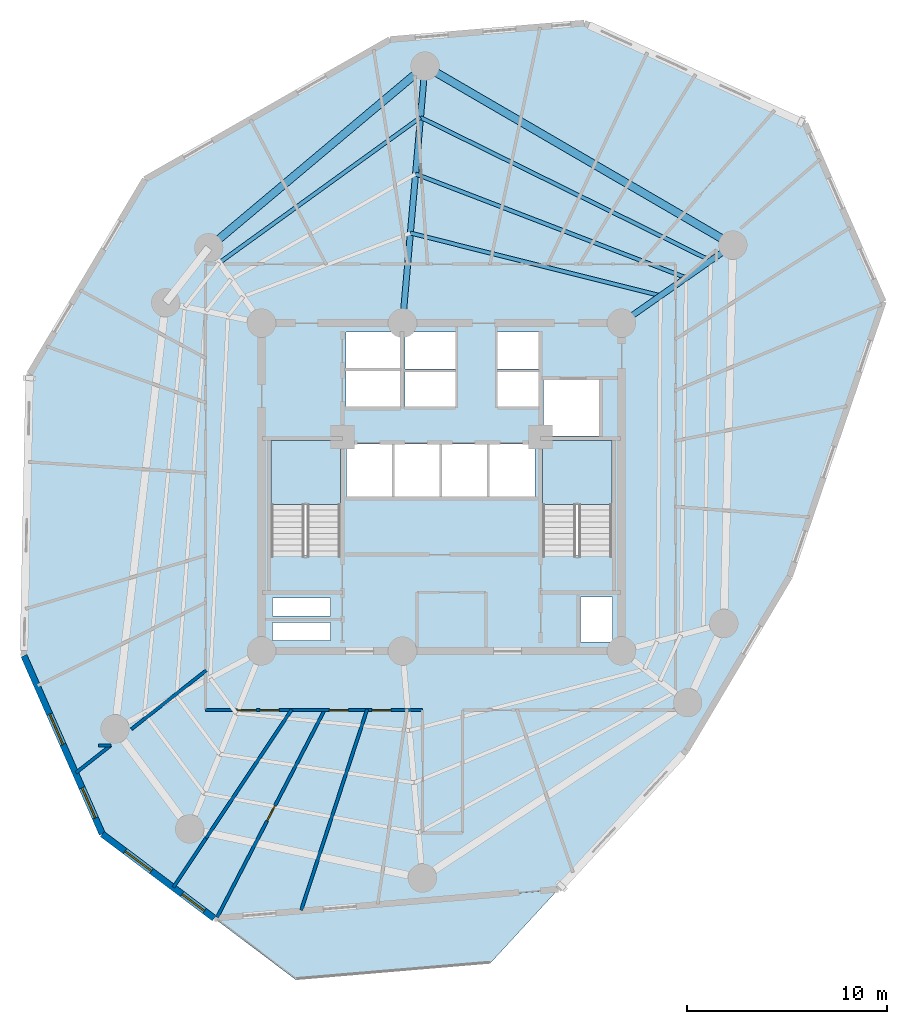
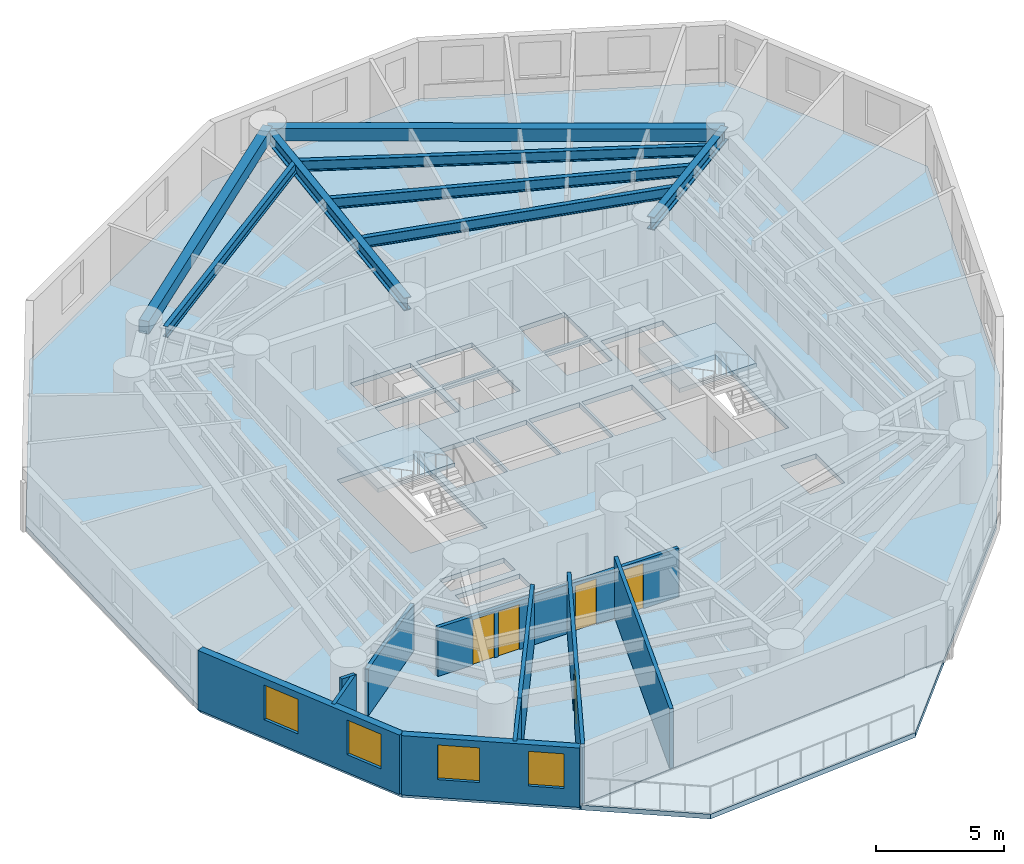
# One storey, part 2 of 10: 10 walls, 8 beams, 5 doors, 4 slabs, 4 windows, 9 openings, 2 elements without a shape of their own.
"""IFC4 building model written with IfcOpenShell, lengths in metres."""

from ifc_helpers import new_model, si_unit, direction, frame, frame_2d, origin, origin_with_axes, origin_2d, place, context, subcontext, project, spatial, polyline, rectangle, i_section, outline, extrude, source, transform, mapped, material, layer, layer_set, material_profile, profile_set, type_object, element, fill, aggregate, save


model = new_model("IFC4")

# Units and contexts
model_context = context("Model", 3, precision=1e-05, world=origin(), true_north=direction((0.0, 1.0)))
body_context = subcontext(model_context, "Body", "Model", "MODEL_VIEW")
ifc_project = project(units=[si_unit("LENGTHUNIT", "METRE"), si_unit("AREAUNIT", "SQUARE_METRE"), si_unit("VOLUMEUNIT", "CUBIC_METRE"), si_unit("PLANEANGLEUNIT", "RADIAN"), si_unit("MASSUNIT", "GRAM", prefix="KILO")], contexts=[model_context])

# Site, building, storey
site_placement = place(None, origin())
site = spatial("IfcSite", under=ifc_project, at=site_placement, CompositionType="ELEMENT")
building_placement = place(site_placement, origin())
building = spatial("IfcBuilding", under=site, at=building_placement, Name="Karkom Vertical University and Central Library", CompositionType="ELEMENT")
storey_placement = place(building_placement, frame((0.0, 0.0, 111.449951171875)))
storey = spatial("IfcBuildingStorey", under=building, at=storey_placement, Name="L30", CompositionType="ELEMENT", Elevation=111.449951171875)

# Beams
ifc_material_1 = material(Name="Precast concrete C45/55", Category="concrete")
ifc_material_profile_1 = material_profile(ifc_material_1, rectangle(XDim=0.39990234375, YDim=0.60009765625, at=origin_2d()), Name="SPB-400x600")
ifc_profile_set_1 = profile_set([ifc_material_profile_1], Name="Precast concrete C45/55")
beam_type_1 = type_object("IfcBeamType", Name="STR-BM-SP-1", PredefinedType="SPANDREL", material=ifc_profile_set_1)
shared_shape_1 = source(origin_with_axes(), body_context, "Body", "SweptSolid", [
    extrude(rectangle(XDim=0.39990234375, YDim=0.60009765625, at=origin_2d()), origin(), (0.0, 0.0, 1.0), 17.808837890625),
])
beam_1_placement = place(storey_placement, frame((43.070068359375, 38.60009765625, 2.525146484375), z_axis=(-0.864512866362, 0.502610688202, 0.0), x_axis=(-0.502610688202, -0.864512866362, 0.0)))
element("IfcBeam", 1, at=beam_1_placement, inside=storey, type_object=beam_type_1, Name="Level 30 Perimeter Spandrel Beam 02", PredefinedType="SPANDREL", context=body_context, shape_type="MappedRepresentation", body=[
    mapped(shared_shape_1, transform((0.0, 0.0, 0.0), scale=1.0)),
])
shared_shape_2 = source(origin_with_axes(), body_context, "Body", "SweptSolid", [
    extrude(rectangle(XDim=0.39990234375, YDim=0.60009765625, at=origin_2d()), origin(), (0.0, 0.0, 1.0), 14.120849609375),
])
beam_2_placement = place(storey_placement, frame((27.674072265625, 47.551025390625, 2.525146484375), z_axis=(-0.765672847866, -0.643230199883, 0.0), x_axis=(0.643230199883, -0.765672847866, 0.0)))
element("IfcBeam", 2, at=beam_2_placement, inside=storey, type_object=beam_type_1, Name="Level 30 Perimeter Spandrel Beam 03", PredefinedType="SPANDREL", context=body_context, shape_type="MappedRepresentation", body=[
    mapped(shared_shape_2, transform((0.0, 0.0, 0.0), scale=1.0)),
])
ifc_material_2 = material(Name="Steel S355", Category="steel")
ifc_material_profile_2 = material_profile(ifc_material_2, i_section(OverallWidth=0.199951171875, OverallDepth=0.5, WebThickness=0.01025390625, FlangeThickness=0.01611328125, FilletRadius=0.02099609375, at=origin_2d()), Name="IPE 500")
ifc_profile_set_2 = profile_set([ifc_material_profile_2], Name="Steel S355")
beam_type_2 = type_object("IfcBeamType", Name="STR-BM-SB-IPE500", PredefinedType="BEAM", material=ifc_profile_set_2)
shared_shape_3 = source(origin_with_axes(), body_context, "Body", "SweptSolid", [
    extrude(i_section(OverallWidth=0.199951171875, OverallDepth=0.5, WebThickness=0.01025390625, FlangeThickness=0.01611328125, FilletRadius=0.02099609375, at=origin_2d()), origin(), (0.0, 0.0, 1.0), 12.892578125),
])
beam_3_placement = place(storey_placement, frame((39.449462890625, 36.06494140625, 2.574951171875), z_axis=(-0.970023194321, 0.243012350468, 0.0), x_axis=(-0.243012350468, -0.970023194321, 0.0)))
element("IfcBeam", 3, at=beam_3_placement, inside=storey, type_object=beam_type_2, Name="Level 30 Secondary Composite Floor Beam 1.02", PredefinedType="BEAM", context=body_context, shape_type="MappedRepresentation", body=[
    mapped(shared_shape_3, transform((0.0, 0.0, 0.0), scale=1.0)),
])
shared_shape_4 = source(origin_with_axes(), body_context, "Body", "SweptSolid", [
    extrude(i_section(OverallWidth=0.199951171875, OverallDepth=0.5, WebThickness=0.01025390625, FlangeThickness=0.01611328125, FilletRadius=0.02099609375, at=origin_2d()), origin(), (0.0, 0.0, 1.0), 14.49072265625),
])
beam_4_placement = place(storey_placement, frame((40.730712890625, 36.9619140625, 2.574951171875), z_axis=(-0.93361673171, 0.35827335691, 0.0), x_axis=(-0.35827335691, -0.93361673171, 0.0)))
element("IfcBeam", 4, at=beam_4_placement, inside=storey, type_object=beam_type_2, Name="Level 30 Secondary Composite Floor Beam 2.02", PredefinedType="BEAM", context=body_context, shape_type="MappedRepresentation", body=[
    mapped(shared_shape_4, transform((0.0, 0.0, 0.0), scale=1.0)),
])
shared_shape_5 = source(origin_with_axes(), body_context, "Body", "SweptSolid", [
    extrude(i_section(OverallWidth=0.199951171875, OverallDepth=0.5, WebThickness=0.01025390625, FlangeThickness=0.01611328125, FilletRadius=0.02099609375, at=origin_2d()), origin(), (0.0, 0.0, 1.0), 16.177978515625),
])
beam_5_placement = place(storey_placement, frame((41.9560546875, 37.820068359375, 2.574951171875), z_axis=(-0.896709262653, 0.442620038263, 0.0), x_axis=(-0.442620038263, -0.896709262653, 0.0)))
element("IfcBeam", 5, at=beam_5_placement, inside=storey, type_object=beam_type_2, Name="Level 30 Secondary Composite Floor Beam 3.02", PredefinedType="BEAM", context=body_context, shape_type="MappedRepresentation", body=[
    mapped(shared_shape_5, transform((0.0, 0.0, 0.0), scale=1.0)),
])
shared_shape_6 = source(origin_with_axes(), body_context, "Body", "SweptSolid", [
    extrude(i_section(OverallWidth=0.199951171875, OverallDepth=0.5, WebThickness=0.01025390625, FlangeThickness=0.01611328125, FilletRadius=0.02099609375, at=origin_2d()), origin(), (0.0, 0.0, 1.0), 12.409423828125),
])
beam_6_placement = place(storey_placement, frame((27.44921875, 44.980712890625, 2.574951171875), z_axis=(-0.810636686292, -0.585549453793, 0.0), x_axis=(0.585549453793, -0.810636686292, 0.0)))
element("IfcBeam", 6, at=beam_6_placement, inside=storey, type_object=beam_type_2, Name="Level 30 Secondary Composite Floor Beam 3.03", PredefinedType="BEAM", context=body_context, shape_type="MappedRepresentation", body=[
    mapped(shared_shape_6, transform((0.0, 0.0, 0.0), scale=1.0)),
])
ifc_material_profile_3 = material_profile(ifc_material_2, i_section(OverallWidth=0.300048828125, OverallDepth=0.60009765625, WebThickness=0.015380859375, FlangeThickness=0.030029296875, FilletRadius=0.027099609375, at=origin_2d()), Name="HE 600 B")
ifc_profile_set_3 = profile_set([ifc_material_profile_3], Name="Steel S355")
beam_type_3 = type_object("IfcBeamType", Name="STR-BM-SB-HE600", PredefinedType="USERDEFINED", material=ifc_profile_set_3)
shared_shape_7 = source(origin_with_axes(), body_context, "Body", "SweptSolid", [
    extrude(i_section(OverallWidth=0.300048828125, OverallDepth=0.60009765625, WebThickness=0.015380859375, FlangeThickness=0.030029296875, FilletRadius=0.027099609375, at=origin_2d()), origin(), (0.0, 0.0, 1.0), 6.7998046875),
])
beam_7_placement = place(storey_placement, frame((37.5, 34.699951171875, 2.525146484375), z_axis=(0.819156008334, 0.573570775066, 0.0), x_axis=(-0.573570775066, 0.819156008334, 0.0)))
element("IfcBeam", 7, at=beam_7_placement, inside=storey, type_object=beam_type_3, Name="Level 30 Radial Frame Girder 02", ObjectType="GIRDER", PredefinedType="USERDEFINED", context=body_context, shape_type="MappedRepresentation", body=[
    mapped(shared_shape_7, transform((0.0, 0.0, 0.0), scale=1.0)),
])
shared_shape_8 = source(origin_with_axes(), body_context, "Body", "SweptSolid", [
    extrude(i_section(OverallWidth=0.300048828125, OverallDepth=0.60009765625, WebThickness=0.015380859375, FlangeThickness=0.030029296875, FilletRadius=0.027099609375, at=origin_2d()), origin(), (0.0, 0.0, 1.0), 12.900146484375),
])
beam_8_placement = place(storey_placement, frame((26.550048828125, 34.699951171875, 2.525146484375), z_axis=(0.087132673751, 0.996196716098, 0.0), x_axis=(-0.996196716098, 0.087132673751, 0.0)))
element("IfcBeam", 8, at=beam_8_placement, inside=storey, type_object=beam_type_3, Name="Level 30 Radial Frame Girder 03", ObjectType="GIRDER", PredefinedType="USERDEFINED", context=body_context, shape_type="MappedRepresentation", body=[
    mapped(shared_shape_8, transform((0.0, 0.0, 0.0), scale=1.0)),
])

# Stair, slab
ifc_material_3 = material(Name="Concrete C45/55", Category="concrete")
stair_type = type_object("IfcStairType", Name="INT-STR-ST-MAIN", PredefinedType="HALF_TURN_STAIR", material=ifc_material_3)
stair_1_placement = place(storey_placement, origin())
stair_1 = element("IfcStair", 9, at=stair_1_placement, inside=storey, type_object=stair_type, Name="Level 30 Tower Protected Exit Stair ST-1", PredefinedType="HALF_TURN_STAIR")
ifc_layer_1 = layer(ifc_material_3, 0.199951171875)
ifc_layer_set_1 = layer_set([ifc_layer_1], Name="Concrete C45/55")
slab_type_1 = type_object("IfcSlabType", Name="INT-SLB-LANDING", PredefinedType="LANDING", material=ifc_layer_set_1)
slab_1_placement = place(storey_placement, frame((0.0, 0.0, 1.324951171875)))
slab_1 = element("IfcSlab", 10, at=slab_1_placement, type_object=slab_type_1, Name="ST-1 landing 1", PredefinedType="LANDING", context=body_context, shape_type="SweptSolid", body=[
    extrude(outline(polyline([(23.43994140625, 25.6298828125), (23.43994140625, 28.820068359375), (19.97998046875, 28.820068359375), (19.97998046875, 25.6298828125), (23.43994140625, 25.6298828125)])), origin(), (0.0, 0.0, 1.0), 0.2001953125),
])
aggregate(stair_1, [slab_1])

stair_2_placement = place(storey_placement, origin())
stair_2 = element("IfcStair", 11, at=stair_2_placement, inside=storey, type_object=stair_type, Name="Level 30 Tower Protected Exit Stair ST-2", PredefinedType="HALF_TURN_STAIR")
slab_2_placement = place(storey_placement, frame((0.0, 0.0, 1.324951171875)))
slab_2 = element("IfcSlab", 12, at=slab_2_placement, type_object=slab_type_1, Name="ST-2 landing 1", PredefinedType="LANDING", context=body_context, shape_type="SweptSolid", body=[
    extrude(outline(polyline([(37.02001953125, 25.6298828125), (37.02001953125, 28.820068359375), (33.56005859375, 28.820068359375), (33.56005859375, 25.6298828125), (37.02001953125, 25.6298828125)])), origin(), (0.0, 0.0, 1.0), 0.2001953125),
])
aggregate(stair_2, [slab_2])

# Slabs
ifc_layer_2 = layer(ifc_material_3, 0.22509765625)
ifc_layer_set_2 = layer_set([ifc_layer_2], Name="Concrete C45/55")
slab_type_2 = type_object("IfcSlabType", Name="STR-SLB-FLR-225", PredefinedType="FLOOR", material=ifc_layer_set_2)
slab_3_placement = place(storey_placement, frame((0.0, 0.0, -0.224853515625)))
element("IfcSlab", 13, at=slab_3_placement, inside=storey, type_object=slab_type_2, Name="Level 30 Tower Structural Floor Slab", PredefinedType="FLOOR", context=body_context, shape_type="SweptSolid", body=[
    extrude(outline(polyline([(7.905517578125, 32.163818359375), (7.61865234375, 18.065673828125), (11.539306640625, 9.147705078125), (17.13427734375, 4.935302734375), (34.34228515625, 6.388916015625), (40.7490234375, 13.3515625), (45.904541015625, 22.02734375), (50.588134765625, 35.76904296875), (46.67578125, 44.668212890625), (35.63232421875, 49.692626953125), (25.925048828125, 48.872802734375), (13.6796875, 41.881103515625), (7.905517578125, 32.163818359375)]), holes=[polyline([(19.97998046875, 23.0849609375), (23.43994140625, 23.0849609375), (23.43994140625, 28.820068359375), (19.97998046875, 28.820068359375), (19.97998046875, 23.0849609375)]), polyline([(33.56005859375, 23.0849609375), (37.02001953125, 23.0849609375), (37.02001953125, 28.820068359375), (33.56005859375, 28.820068359375), (33.56005859375, 23.0849609375)]), polyline([(23.75, 26.0), (26.030029296875, 26.0), (26.030029296875, 28.64990234375), (23.75, 28.64990234375), (23.75, 26.0)]), polyline([(26.1298828125, 26.0), (28.409912109375, 26.0), (28.409912109375, 28.64990234375), (26.1298828125, 28.64990234375), (26.1298828125, 26.0)]), polyline([(28.510009765625, 26.0), (30.7900390625, 26.0), (30.7900390625, 28.64990234375), (28.510009765625, 28.64990234375), (28.510009765625, 26.0)]), polyline([(30.889892578125, 26.0), (33.169921875, 26.0), (33.169921875, 28.64990234375), (30.889892578125, 28.64990234375), (30.889892578125, 26.0)]), polyline([(26.679931640625, 30.5), (29.199951171875, 30.5), (29.199951171875, 32.25), (26.679931640625, 32.25), (26.679931640625, 30.5)]), polyline([(26.679931640625, 32.39990234375), (29.199951171875, 32.39990234375), (29.199951171875, 34.25), (26.679931640625, 34.25), (26.679931640625, 32.39990234375)]), polyline([(31.300048828125, 30.5), (33.35009765625, 30.5), (33.35009765625, 32.25), (31.300048828125, 32.25), (31.300048828125, 30.5)]), polyline([(31.300048828125, 32.39990234375), (33.35009765625, 32.39990234375), (33.35009765625, 34.25), (31.300048828125, 34.25), (31.300048828125, 32.39990234375)]), polyline([(23.719970703125, 30.47998046875), (26.429931640625, 30.47998046875), (26.429931640625, 32.320068359375), (23.719970703125, 32.320068359375), (23.719970703125, 30.47998046875)]), polyline([(23.719970703125, 32.419921875), (26.429931640625, 32.419921875), (26.429931640625, 34.260009765625), (23.719970703125, 34.260009765625), (23.719970703125, 32.419921875)]), polyline([(33.60009765625, 29.050048828125), (36.39990234375, 29.050048828125), (36.39990234375, 31.85009765625), (33.60009765625, 31.85009765625), (33.60009765625, 29.050048828125)]), polyline([(20.050048828125, 18.820068359375), (22.949951171875, 18.820068359375), (22.949951171875, 19.719970703125), (20.050048828125, 19.719970703125), (20.050048828125, 18.820068359375)]), polyline([(20.050048828125, 20.06005859375), (22.949951171875, 20.06005859375), (22.949951171875, 20.9599609375), (20.050048828125, 20.9599609375), (20.050048828125, 20.06005859375)]), polyline([(35.4599609375, 18.760009765625), (37.0400390625, 18.760009765625), (37.0400390625, 21.010009765625), (35.4599609375, 21.010009765625), (35.4599609375, 18.760009765625)])]), origin(), (0.0, 0.0, 1.0), 0.224853515625),
])
ifc_layer_3 = layer(ifc_material_3, 0.199951171875)
ifc_layer_set_3 = layer_set([ifc_layer_3], Name="Concrete C45/55")
slab_type_3 = type_object("IfcSlabType", Name="STR-SLB-PLN-260", PredefinedType="USERDEFINED", material=ifc_layer_set_3)
slab_4_placement = place(storey_placement, frame((0.0, 0.0, -0.224853515625)))
element("IfcSlab", 14, at=slab_4_placement, inside=storey, type_object=slab_type_3, Name="Level 30 Spiral Sky Garden Planter Terrace", ObjectType="PLANTER", PredefinedType="USERDEFINED", context=body_context, shape_type="SweptSolid", body=[
    extrude(outline(polyline([(30.918701171875, 2.668212890625), (21.232177734375, 1.85009765625), (17.158203125, 4.917236328125), (34.322265625, 6.366943359375), (30.918701171875, 2.668212890625)])), origin(), (0.0, 0.0, 1.0), 0.224853515625),
])

# Wall, openings, windows
ifc_material_4 = material(Name="Brick-faced precast concrete C45/55", Category="masonry")
ifc_layer_4 = layer(ifc_material_4, 0.320068359375)
ifc_layer_set_4 = layer_set([ifc_layer_4], Name="Brick-faced precast concrete C45/55")
wall_type_1 = type_object("IfcWallType", Name="ENV-WL-BRK-320", PredefinedType="SOLIDWALL", material=ifc_layer_set_4)
wall_1_placement = place(storey_placement, frame((7.61865234375, 18.065673828125, 0.0), z_axis=(0.0, 0.0, 1.0), x_axis=(0.402458923795, -0.915438045232, 0.0)))
wall_1 = element("IfcWall", 15, at=wall_1_placement, inside=storey, type_object=wall_type_1, Name="Level 30 Brick-Faced Precast Facade Wall 02", PredefinedType="SOLIDWALL", context=body_context, shape_type="SweptSolid", body=[
    extrude(rectangle(XDim=9.74169921875, YDim=0.320068359375, at=frame_2d((4.870849609375, 0.0))), origin(), (0.0, 0.0, 1.0), 2.824951171875),
])
opening_1_placement = place(wall_1_placement, frame((3.196533203125, 0.0, 0.85009765625)))
opening_1 = element("IfcOpeningElement", 16, at=opening_1_placement, cuts=wall_1, Name="Opening WN-06", PredefinedType="OPENING", context=body_context, shape_type="SweptSolid", body=[
    extrude(rectangle(XDim=1.64990234375, YDim=1.64990234375, at=frame_2d((0.824951171875, 0.824951171875))), frame((0.0, 0.169921875, 0.0), z_axis=(0.0, -1.0, 0.0), x_axis=(1.0, 0.0, 0.0)), (0.0, 0.0, 1.0), 0.340087890625),
])
opening_2_placement = place(wall_1_placement, frame((7.21435546875, 0.0, 0.85009765625)))
opening_2 = element("IfcOpeningElement", 17, at=opening_2_placement, cuts=wall_1, Name="Opening WN-06", PredefinedType="OPENING", context=body_context, shape_type="SweptSolid", body=[
    extrude(rectangle(XDim=1.64990234375, YDim=1.64990234375, at=frame_2d((0.824951171875, 0.824951171875))), frame((0.0, 0.169921875, 0.0), z_axis=(0.0, -1.0, 0.0), x_axis=(1.0, 0.0, 0.0)), (0.0, 0.0, 1.0), 0.340087890625),
])
ifc_material_5 = material(Name="Aluminium thermal-break frame with solar-control IGU", Category="aluminium")
window_type_1 = type_object("IfcWindowType", Name="ENV-WIN-WN-06", PartitioningType="SINGLE_PANEL", PredefinedType="WINDOW", material=ifc_material_5)
shared_shape_9 = source(origin_with_axes(), body_context, "Body", "SweptSolid", [
    extrude(rectangle(XDim=1.64990234375, YDim=1.64990234375, at=frame_2d((0.824951171875, 0.824951171875))), frame((0.0, 0.030029296875, 0.0), z_axis=(0.0, -1.0, 0.0), x_axis=(1.0, 0.0, 0.0)), (0.0, 0.0, 1.0), 0.06005859375),
])
window_1_placement = place(opening_1_placement, origin())
window_1 = element("IfcWindow", 18, at=window_1_placement, inside=storey, type_object=window_type_1, Name="Level 30 Punched Window 2.1", OverallHeight=1.64990234375, OverallWidth=1.64990234375, PartitioningType="SINGLE_PANEL", PredefinedType="WINDOW", context=body_context, shape_type="MappedRepresentation", body=[
    mapped(shared_shape_9, transform((0.0, 0.0, 0.0), scale=1.0)),
])
fill(opening_1, window_1)
window_2_placement = place(opening_2_placement, origin())
window_2 = element("IfcWindow", 19, at=window_2_placement, inside=storey, type_object=window_type_1, Name="Level 30 Punched Window 2.2", OverallHeight=1.64990234375, OverallWidth=1.64990234375, PartitioningType="SINGLE_PANEL", PredefinedType="WINDOW", context=body_context, shape_type="MappedRepresentation", body=[
    mapped(shared_shape_9, transform((0.0, 0.0, 0.0), scale=1.0)),
])
fill(opening_2, window_2)

wall_2_placement = place(storey_placement, frame((11.539306640625, 9.147705078125, 0.0), z_axis=(0.0, 0.0, 1.0), x_axis=(0.798890081763, -0.601477046329, 0.0)))
wall_2 = element("IfcWall", 20, at=wall_2_placement, inside=storey, type_object=wall_type_1, Name="Level 30 Brick-Faced Precast Facade Wall 03", PredefinedType="SOLIDWALL", context=body_context, shape_type="SweptSolid", body=[
    extrude(rectangle(XDim=7.00341796875, YDim=0.320068359375, at=frame_2d((3.501708984375, 0.0))), origin(), (0.0, 0.0, 1.0), 2.824951171875),
])
opening_3_placement = place(wall_2_placement, frame((1.422119140625, 0.0, 0.85009765625)))
opening_3 = element("IfcOpeningElement", 21, at=opening_3_placement, cuts=wall_2, Name="Opening WN-06", PredefinedType="OPENING", context=body_context, shape_type="SweptSolid", body=[
    extrude(rectangle(XDim=1.64990234375, YDim=1.64990234375, at=frame_2d((0.824951171875, 0.824951171875))), frame((0.0, 0.169921875, 0.0), z_axis=(0.0, -1.0, 0.0), x_axis=(1.0, 0.0, 0.0)), (0.0, 0.0, 1.0), 0.340087890625),
])
opening_4_placement = place(wall_2_placement, frame((4.98876953125, 0.0, 0.85009765625)))
opening_4 = element("IfcOpeningElement", 22, at=opening_4_placement, cuts=wall_2, Name="Opening WN-07", PredefinedType="OPENING", context=body_context, shape_type="SweptSolid", body=[
    extrude(rectangle(XDim=1.39990234375, YDim=1.64990234375, at=frame_2d((0.699951171875, 0.824951171875))), frame((0.0, 0.169921875, 0.0), z_axis=(0.0, -1.0, 0.0), x_axis=(1.0, 0.0, 0.0)), (0.0, 0.0, 1.0), 0.340087890625),
])
window_3_placement = place(opening_3_placement, origin())
window_3 = element("IfcWindow", 23, at=window_3_placement, inside=storey, type_object=window_type_1, Name="Level 30 Punched Window 3.1", OverallHeight=1.64990234375, OverallWidth=1.64990234375, PartitioningType="SINGLE_PANEL", PredefinedType="WINDOW", context=body_context, shape_type="MappedRepresentation", body=[
    mapped(shared_shape_9, transform((0.0, 0.0, 0.0), scale=1.0)),
])
fill(opening_3, window_3)
window_type_2 = type_object("IfcWindowType", Name="ENV-WIN-WN-07", PartitioningType="SINGLE_PANEL", PredefinedType="WINDOW", material=ifc_material_5)
shared_shape_10 = source(origin_with_axes(), body_context, "Body", "SweptSolid", [
    extrude(rectangle(XDim=1.39990234375, YDim=1.64990234375, at=frame_2d((0.699951171875, 0.824951171875))), frame((0.0, 0.030029296875, 0.0), z_axis=(0.0, -1.0, 0.0), x_axis=(1.0, 0.0, 0.0)), (0.0, 0.0, 1.0), 0.06005859375),
])
window_4_placement = place(opening_4_placement, origin())
window_4 = element("IfcWindow", 24, at=window_4_placement, inside=storey, type_object=window_type_2, Name="Level 30 Punched Window 3.2", OverallHeight=1.64990234375, OverallWidth=1.39990234375, PartitioningType="SINGLE_PANEL", PredefinedType="WINDOW", context=body_context, shape_type="MappedRepresentation", body=[
    mapped(shared_shape_10, transform((0.0, 0.0, 0.0), scale=1.0)),
])
fill(opening_4, window_4)

# Wall, opening, door
ifc_material_6 = material(Name="Insulated metal-stud drywall 160mm", Category="gypsum")
ifc_layer_5 = layer(ifc_material_6, 0.159912109375)
ifc_layer_set_5 = layer_set([ifc_layer_5], Name="Insulated metal-stud drywall 160mm")
wall_type_2 = type_object("IfcWallType", Name="INT-WL-COR-160", PredefinedType="PARTITIONING", material=ifc_layer_set_5)
wall_3_placement = place(storey_placement, frame((22.66650390625, 15.376708984375, 0.0), z_axis=(0.0, 0.0, 1.0), x_axis=(-0.460195420674, -0.887817647262, 0.0)))
wall_3 = element("IfcWall", 25, at=wall_3_placement, inside=storey, type_object=wall_type_2, Name="Level 30 Interior Partition Wall L30-PW-009", PredefinedType="PARTITIONING", context=body_context, shape_type="SweptSolid", body=[
    extrude(rectangle(XDim=11.70751953125, YDim=0.159912109375, at=frame_2d((5.853759765625, 0.0))), origin(), (0.0, 0.0, 1.0), 2.824951171875),
])
opening_5_placement = place(wall_3_placement, frame((5.423583984375, 0.0, 0.0)))
opening_5 = element("IfcOpeningElement", 26, at=opening_5_placement, cuts=wall_3, Name="Opening FD-BTH2", PredefinedType="OPENING", context=body_context, shape_type="SweptSolid", body=[
    extrude(rectangle(XDim=0.860107421875, YDim=2.0400390625, at=frame_2d((0.43017578125, 1.02001953125))), frame((0.0, 0.08984375, 0.0), z_axis=(0.0, -1.0, 0.0), x_axis=(1.0, 0.0, 0.0)), (0.0, 0.0, 1.0), 0.179931640625),
])
ifc_material_7 = material(Name="Fire-rated moisture-resistant oak door", Category="wood")
door_type_1 = type_object("IfcDoorType", Name="INT-DR-FBTH2", OperationType="NOTDEFINED", PredefinedType="DOOR", material=ifc_material_7)
shared_shape_11 = source(origin_with_axes(), body_context, "Body", "SweptSolid", [
    extrude(rectangle(XDim=0.860107421875, YDim=2.0400390625, at=frame_2d((0.43017578125, 1.02001953125))), frame((0.0, 0.02490234375, 0.0), z_axis=(0.0, -1.0, 0.0), x_axis=(1.0, 0.0, 0.0)), (0.0, 0.0, 1.0), 0.050048828125),
])
door_1_placement = place(opening_5_placement, origin())
door_1 = element("IfcDoor", 27, at=door_1_placement, inside=storey, type_object=door_type_1, Name="Level 30 Campus Student Health Counseling Clinic Entry Door", OperationType="SINGLE_SWING_RIGHT", OverallHeight=2.0400390625, OverallWidth=0.860107421875, PredefinedType="DOOR", context=body_context, shape_type="MappedRepresentation", body=[
    mapped(shared_shape_11, transform((0.0, 0.0, 0.0), scale=1.0)),
])
fill(opening_5, door_1)

# Wall, openings, doors
wall_4_placement = place(storey_placement, frame((27.550048828125, 15.35009765625, 0.0), z_axis=(0.0, 0.0, 1.0), x_axis=(-1.0, 0.0, 0.0)))
wall_4 = element("IfcWall", 28, at=wall_4_placement, inside=storey, type_object=wall_type_2, Name="Level 30 Interior Partition Wall L30-CORW-CW-001", PredefinedType="PARTITIONING", context=body_context, shape_type="SweptSolid", body=[
    extrude(rectangle(XDim=10.85009765625, YDim=0.159912109375, at=frame_2d((5.425048828125, 0.0))), origin(), (0.0, 0.0, 1.0), 2.324951171875),
])
opening_6_placement = place(wall_4_placement, frame((7.16748046875, 0.0, 0.0)))
opening_6 = element("IfcOpeningElement", 29, at=opening_6_placement, cuts=wall_4, Name="Opening D-RM1", PredefinedType="OPENING", context=body_context, shape_type="SweptSolid", body=[
    extrude(rectangle(XDim=0.949951171875, YDim=2.14990234375, at=frame_2d((0.47509765625, 1.074951171875))), frame((0.0, 0.08984375, 0.0), z_axis=(0.0, -1.0, 0.0), x_axis=(1.0, 0.0, 0.0)), (0.0, 0.0, 1.0), 0.179931640625),
])
opening_7_placement = place(wall_4_placement, frame((3.7099609375, 0.0, 0.0)))
opening_7 = element("IfcOpeningElement", 30, at=opening_7_placement, cuts=wall_4, Name="Opening D-RM1", PredefinedType="OPENING", context=body_context, shape_type="SweptSolid", body=[
    extrude(rectangle(XDim=0.949951171875, YDim=2.14990234375, at=frame_2d((0.47509765625, 1.074951171875))), frame((0.0, 0.08984375, 0.0), z_axis=(0.0, -1.0, 0.0), x_axis=(1.0, 0.0, 0.0)), (0.0, 0.0, 1.0), 0.179931640625),
])
opening_8_placement = place(wall_4_placement, frame((1.58251953125, 0.0, 0.0)))
opening_8 = element("IfcOpeningElement", 31, at=opening_8_placement, cuts=wall_4, Name="Opening D-RM1", PredefinedType="OPENING", context=body_context, shape_type="SweptSolid", body=[
    extrude(rectangle(XDim=0.949951171875, YDim=2.14990234375, at=frame_2d((0.47509765625, 1.074951171875))), frame((0.0, 0.08984375, 0.0), z_axis=(0.0, -1.0, 0.0), x_axis=(1.0, 0.0, 0.0)), (0.0, 0.0, 1.0), 0.179931640625),
])
opening_9_placement = place(wall_4_placement, frame((8.302978515625, 0.0, 0.0)))
opening_9 = element("IfcOpeningElement", 32, at=opening_9_placement, cuts=wall_4, Name="Opening FD-RM2", PredefinedType="OPENING", context=body_context, shape_type="SweptSolid", body=[
    extrude(rectangle(XDim=0.9599609375, YDim=2.14990234375, at=frame_2d((0.47998046875, 1.074951171875))), frame((0.0, 0.08984375, 0.0), z_axis=(0.0, -1.0, 0.0), x_axis=(1.0, 0.0, 0.0)), (0.0, 0.0, 1.0), 0.179931640625),
])
ifc_material_8 = material(Name="Fire-rated oak veneer door", Category="wood")
door_type_2 = type_object("IfcDoorType", Name="INT-DR-FRM2", OperationType="NOTDEFINED", PredefinedType="DOOR", material=ifc_material_8)
shared_shape_12 = source(origin_with_axes(), body_context, "Body", "SweptSolid", [
    extrude(rectangle(XDim=0.9599609375, YDim=2.14990234375, at=frame_2d((0.47998046875, 1.074951171875))), frame((0.0, 0.02490234375, 0.0), z_axis=(0.0, -1.0, 0.0), x_axis=(1.0, 0.0, 0.0)), (0.0, 0.0, 1.0), 0.050048828125),
])
door_2_placement = place(opening_9_placement, origin())
door_2 = element("IfcDoor", 33, at=door_2_placement, inside=storey, type_object=door_type_2, Name="Level 30 Room Entry Door 060", OperationType="SINGLE_SWING_LEFT", OverallHeight=2.14990234375, OverallWidth=0.9599609375, PredefinedType="DOOR", context=body_context, shape_type="MappedRepresentation", body=[
    mapped(shared_shape_12, transform((0.0, 0.0, 0.0), scale=1.0)),
])
fill(opening_9, door_2)
ifc_material_9 = material(Name="Solid-core oak veneer door", Category="wood")
door_type_3 = type_object("IfcDoorType", Name="INT-DR-RM1", OperationType="NOTDEFINED", PredefinedType="DOOR", material=ifc_material_9)
shared_shape_13 = source(origin_with_axes(), body_context, "Body", "SweptSolid", [
    extrude(rectangle(XDim=0.949951171875, YDim=2.14990234375, at=frame_2d((0.47509765625, 1.074951171875))), frame((0.0, 0.02490234375, 0.0), z_axis=(0.0, -1.0, 0.0), x_axis=(1.0, 0.0, 0.0)), (0.0, 0.0, 1.0), 0.050048828125),
])
door_3_placement = place(opening_6_placement, origin())
door_3 = element("IfcDoor", 34, at=door_3_placement, inside=storey, type_object=door_type_3, Name="Level 30 Room Entry Door 030", OperationType="SINGLE_SWING_RIGHT", OverallHeight=2.14990234375, OverallWidth=0.949951171875, PredefinedType="DOOR", context=body_context, shape_type="MappedRepresentation", body=[
    mapped(shared_shape_13, transform((0.0, 0.0, 0.0), scale=1.0)),
])
fill(opening_6, door_3)
door_4_placement = place(opening_7_placement, origin())
door_4 = element("IfcDoor", 35, at=door_4_placement, inside=storey, type_object=door_type_3, Name="Level 30 Room Entry Door 040", OperationType="SINGLE_SWING_LEFT", OverallHeight=2.14990234375, OverallWidth=0.949951171875, PredefinedType="DOOR", context=body_context, shape_type="MappedRepresentation", body=[
    mapped(shared_shape_13, transform((0.0, 0.0, 0.0), scale=1.0)),
])
fill(opening_7, door_4)
door_5_placement = place(opening_8_placement, origin())
door_5 = element("IfcDoor", 36, at=door_5_placement, inside=storey, type_object=door_type_3, Name="Level 30 Room Entry Door 050", OperationType="SINGLE_SWING_RIGHT", OverallHeight=2.14990234375, OverallWidth=0.949951171875, PredefinedType="DOOR", context=body_context, shape_type="MappedRepresentation", body=[
    mapped(shared_shape_13, transform((0.0, 0.0, 0.0), scale=1.0)),
])
fill(opening_8, door_5)

# Walls
wall_5_placement = place(storey_placement, frame((24.785400390625, 15.392578125, 0.0), z_axis=(0.0, 0.0, 1.0), x_axis=(-0.312296564034, -0.949984660977, 0.0)))
element("IfcWall", 37, at=wall_5_placement, inside=storey, type_object=wall_type_2, Name="Level 30 Interior Partition Wall L30-PW-010", PredefinedType="PARTITIONING", context=body_context, shape_type="SweptSolid", body=[
    extrude(rectangle(XDim=10.589599609375, YDim=0.159912109375, at=frame_2d((5.294921875, 0.0))), origin(), (0.0, 0.0, 1.0), 2.824951171875),
])
wall_6_placement = place(storey_placement, frame((21.013671875, 15.375, 0.0), z_axis=(0.0, 0.0, 1.0), x_axis=(-0.554554514282, -0.832147397214, 0.0)))
element("IfcWall", 38, at=wall_6_placement, inside=storey, type_object=wall_type_2, Name="Level 30 Interior Partition Wall L30-PW-008", PredefinedType="PARTITIONING", context=body_context, shape_type="SweptSolid", body=[
    extrude(rectangle(XDim=7.735107421875, YDim=0.159912109375, at=frame_2d((3.86767578125, 0.0))), origin(), (0.0, 0.0, 1.0), 2.824951171875),
])
wall_7_placement = place(storey_placement, frame((16.7353515625, 17.331298828125, 0.0), z_axis=(0.0, 0.0, 1.0), x_axis=(-0.786302323137, -0.617841934987, 0.0)))
element("IfcWall", 39, at=wall_7_placement, inside=storey, type_object=wall_type_2, Name="Level 30 Interior Partition Wall L30-PW-004", PredefinedType="PARTITIONING", context=body_context, shape_type="SweptSolid", body=[
    extrude(rectangle(XDim=4.7607421875, YDim=0.159912109375, at=frame_2d((2.38037109375, 0.0))), origin(), (0.0, 0.0, 1.0), 2.22509765625),
])
wall_8_placement = place(storey_placement, frame((16.72119140625, 8.93408203125, 0.0), z_axis=(0.0, 0.0, 1.0), x_axis=(-0.554565860438, -0.832139835867, 0.0)))
element("IfcWall", 40, at=wall_8_placement, inside=storey, type_object=wall_type_2, Name="Level 30 Interior Partition Wall L30-PW-007", PredefinedType="PARTITIONING", context=body_context, shape_type="SweptSolid", body=[
    extrude(rectangle(XDim=2.93603515625, YDim=0.159912109375, at=frame_2d((1.468017578125, 0.0))), origin(), (0.0, 0.0, 1.0), 2.824951171875),
])
wall_9_placement = place(storey_placement, frame((11.96533203125, 13.5830078125, 0.0), z_axis=(0.0, 0.0, 1.0), x_axis=(-0.786283960073, -0.617865304198, 0.0)))
element("IfcWall", 41, at=wall_9_placement, inside=storey, type_object=wall_type_2, Name="Level 30 Interior Partition Wall L30-PW-006", PredefinedType="PARTITIONING", context=body_context, shape_type="SweptSolid", body=[
    extrude(rectangle(XDim=2.218017578125, YDim=0.159912109375, at=frame_2d((1.10888671875, 0.0))), origin(), (0.0, 0.0, 1.0), 2.824951171875),
])
wall_10_placement = place(storey_placement, frame((11.35205078125, 13.5830078125, 0.0), z_axis=(0.0, 0.0, 1.0), x_axis=(1.0, 0.0, 0.0)))
element("IfcWall", 42, at=wall_10_placement, inside=storey, type_object=wall_type_2, Name="Level 30 Interior Partition Wall L30-PW-005", PredefinedType="PARTITIONING", context=body_context, shape_type="SweptSolid", body=[
    extrude(rectangle(XDim=0.61328125, YDim=0.159912109375, at=frame_2d((0.306640625, 0.0))), origin(), (0.0, 0.0, 1.0), 2.824951171875),
])

save(model, "model.ifc")
